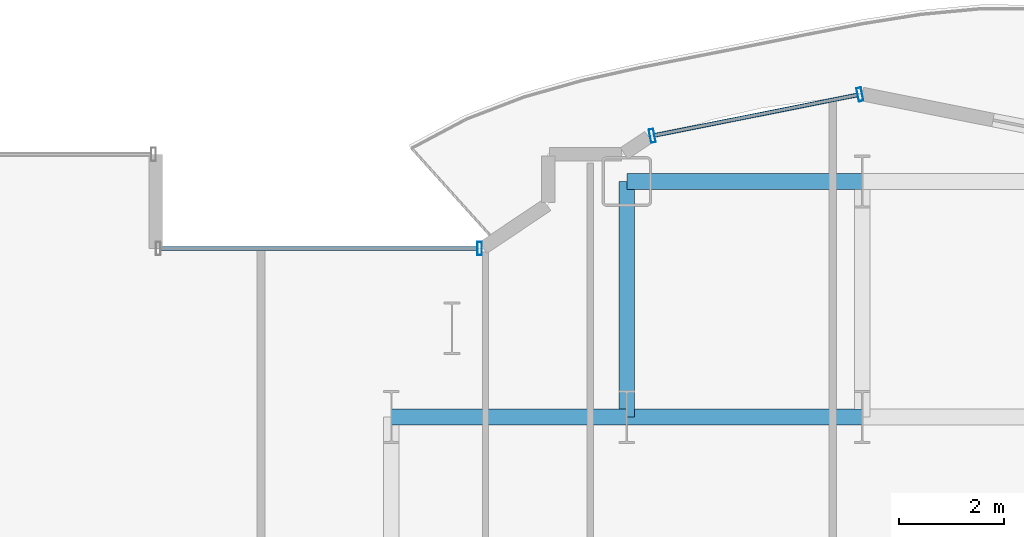
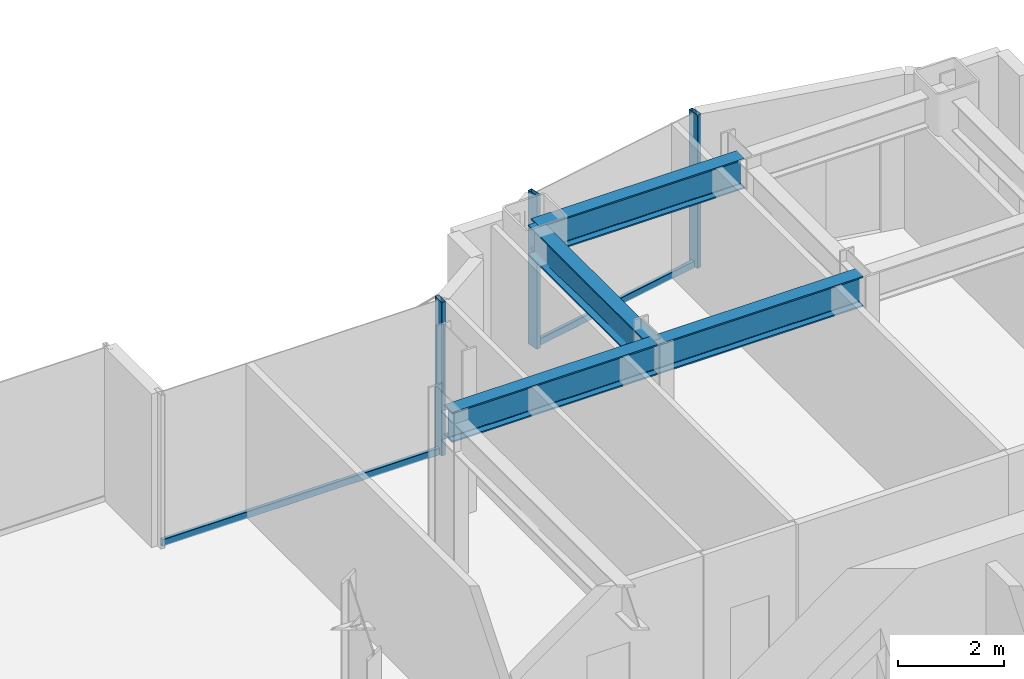
# One storey, part 13 of 29: 5 members, 4 beams, 2 elements without a shape of their own.
"""IFC4 building model written with IfcOpenShell, lengths in metres."""

from ifc_helpers import new_model, si_unit, direction, frame, origin, origin_2d, place, context, subcontext, project, spatial, hollow_rectangle, i_section, extrude, source, transform, mapped, material, layer, layer_set, material_profile, profile_set, type_object, element, aggregate, save


model = new_model("IFC4")

# Units and contexts
model_context = context("Model", 3, precision=1e-05, world=origin(), true_north=direction((0.0, 1.0)))
body_context = subcontext(model_context, "Body", "Model", "MODEL_VIEW")
ifc_project = project(units=[si_unit("LENGTHUNIT", "METRE"), si_unit("AREAUNIT", "SQUARE_METRE"), si_unit("VOLUMEUNIT", "CUBIC_METRE"), si_unit("PLANEANGLEUNIT", "RADIAN"), si_unit("MASSUNIT", "GRAM", prefix="KILO")], contexts=[model_context])

# Site, building, storey
site_placement = place(None, origin())
site = spatial("IfcSite", under=ifc_project, at=site_placement, CompositionType="ELEMENT")
building_placement = place(site_placement, origin())
building = spatial("IfcBuilding", under=site, at=building_placement, Name="Nefas-Gora Pilgrimage Tower", CompositionType="ELEMENT")
storey_placement = place(building_placement, frame((0.0, 0.0, 55.800048828125)))
storey = spatial("IfcBuildingStorey", under=building, at=storey_placement, Name="L12", CompositionType="ELEMENT", Elevation=55.800048828125)

# Beams
ifc_material_1 = material(Name="Steel S355", Category="steel")
ifc_material_profile_1 = material_profile(ifc_material_1, i_section(OverallWidth=0.300048828125, OverallDepth=0.699951171875, WebThickness=0.01708984375, FlangeThickness=0.031982421875, FilletRadius=0.027099609375, at=origin_2d()), Name="HEB 700")
ifc_profile_set_1 = profile_set([ifc_material_profile_1], Name="Steel S355")
beam_type = type_object("IfcBeamType", Name="BM-GIR-HEB700", PredefinedType="BEAM", material=ifc_profile_set_1)
shared_shape_1 = source(origin(), body_context, "Body", "SweptSolid", [
    extrude(i_section(OverallWidth=0.300048828125, OverallDepth=0.699951171875, WebThickness=0.01708984375, FlangeThickness=0.031982421875, FilletRadius=0.027099609375, at=origin_2d()), origin(), (0.0, 0.0, 1.0), 4.5),
])
for number, where, z_axis, x_axis, name in (
    (1, (-11.25, 18.0, 3.199951171875), (1.0, 0.0, 0.0), (0.0, 1.0, 0.0), "L12 G-02 beam"),
    (2, (-6.75, 18.0, 3.199951171875), (0.0, 1.0, 0.0), (-1.0, 0.0, 0.0), "L12 G-02 beam"),
    (3, (-6.75, 18.0, 3.199951171875), (1.0, 0.0, 0.0), (0.0, 1.0, 0.0), "L12 G-02 beam"),
    (4, (-6.75, 22.5, 3.199951171875), (1.0, 0.0, 0.0), (0.0, 1.0, 0.0), "L12 G-02 beam"),
):
    element("IfcBeam", number, at=place(storey_placement, frame(where, z_axis=z_axis, x_axis=x_axis)), inside=storey, type_object=beam_type, Name=name, PredefinedType="BEAM", context=body_context, shape_type="MappedRepresentation", body=[
        mapped(shared_shape_1, transform((0.0, 0.0, 0.0), x_axis=(1.0, 0.0, 0.0), y_axis=(0.0, 1.0, 0.0), z_axis=(0.0, 0.0, 1.0), scale=1.0)),
    ])

# Curtain wall, members
ifc_material_2 = material(Name="Dark ceramic-fritted solar-control aluminium-glass curtain wall", Category="aluminium")
ifc_layer = layer(ifc_material_2, 0.219970703125)
ifc_layer_set = layer_set([ifc_layer], Name="Dark ceramic-fritted solar-control aluminium-glass curtain wall")
curtain_wall_type = type_object("IfcCurtainWallType", Name="CW-SYS-5", PredefinedType="NOTDEFINED", material=ifc_layer_set)
curtain_wall_1_placement = place(storey_placement, origin())
curtain_wall_1 = element("IfcCurtainWall", 5, at=curtain_wall_1_placement, inside=storey, type_object=curtain_wall_type, Name="L12 Unitised Curtain Wall CW5", PredefinedType="NOTDEFINED")
ifc_material_3 = material(Name="Anodised architectural aluminium", Category="aluminium")
ifc_material_profile_2 = material_profile(ifc_material_3, hollow_rectangle(XDim=0.090087890625, YDim=0.260009765625, WallThickness=0.006103515625, InnerFilletRadius=0.006103515625, OuterFilletRadius=0.011962890625, at=origin_2d()), Name="ALU MULLION 90x260")
ifc_profile_set_2 = profile_set([ifc_material_profile_2], Name="Anodised architectural aluminium")
member_type_1 = type_object("IfcMemberType", Name="CWM-MUL-5", PredefinedType="MULLION", material=ifc_profile_set_2)
shared_shape_2 = source(origin(), body_context, "Body", "SweptSolid", [
    extrude(hollow_rectangle(XDim=0.090087890625, YDim=0.260009765625, WallThickness=0.006103515625, InnerFilletRadius=0.006103515625, OuterFilletRadius=0.011962890625, at=origin_2d()), origin(), (0.0, 0.0, 1.0), 3.550048828125),
])
member_1_placement = place(storey_placement, frame((-2.294189453125, 24.16357421875, 0.0), z_axis=(0.0, 0.0, 1.0), x_axis=(-0.980782896852, -0.195102304554, 0.0)))
member_1 = element("IfcMember", 6, at=member_1_placement, type_object=member_type_1, Name="CW5 Mullion 1", PredefinedType="MULLION", context=body_context, shape_type="MappedRepresentation", body=[
    mapped(shared_shape_2, transform((0.0, 0.0, 0.0), x_axis=(1.0, 0.0, 0.0), y_axis=(0.0, 1.0, 0.0), z_axis=(0.0, 0.0, 1.0), scale=1.0)),
])
member_2_placement = place(storey_placement, frame((-6.26318359375, 23.3740234375, 0.0), z_axis=(0.0, 0.0, 1.0), x_axis=(-0.980782896852, -0.195102304554, 0.0)))
member_2 = element("IfcMember", 7, at=member_2_placement, type_object=member_type_1, Name="CW5 Mullion 2", PredefinedType="MULLION", context=body_context, shape_type="MappedRepresentation", body=[
    mapped(shared_shape_2, transform((0.0, 0.0, 0.0), x_axis=(1.0, 0.0, 0.0), y_axis=(0.0, 1.0, 0.0), z_axis=(0.0, 0.0, 1.0), scale=1.0)),
])

curtain_wall_2_placement = place(storey_placement, origin())
curtain_wall_2 = element("IfcCurtainWall", 8, at=curtain_wall_2_placement, inside=storey, type_object=curtain_wall_type, Name="L12 Unitised Curtain Wall CW5", PredefinedType="NOTDEFINED")
member_3_placement = place(storey_placement, frame((-9.56298828125, 21.219970703125, 0.0), z_axis=(0.0, 0.0, 1.0), x_axis=(-1.0, 0.0, 0.0)))
member_3 = element("IfcMember", 9, at=member_3_placement, type_object=member_type_1, Name="CW5 Mullion 1", PredefinedType="MULLION", context=body_context, shape_type="MappedRepresentation", body=[
    mapped(shared_shape_2, transform((0.0, 0.0, 0.0), x_axis=(1.0, 0.0, 0.0), y_axis=(0.0, 1.0, 0.0), z_axis=(0.0, 0.0, 1.0), scale=1.0)),
])
ifc_material_profile_3 = material_profile(ifc_material_3, hollow_rectangle(XDim=0.080078125, YDim=0.159912109375, WallThickness=0.00439453125, InnerFilletRadius=0.00439453125, OuterFilletRadius=0.009033203125, at=origin_2d()), Name="ALU TRANSOM 80x160")
ifc_profile_set_3 = profile_set([ifc_material_profile_3], Name="Anodised architectural aluminium")
member_type_2 = type_object("IfcMemberType", Name="CWM-TRN-5", PredefinedType="USERDEFINED", material=ifc_profile_set_3)
shared_shape_3 = source(origin(), body_context, "Body", "SweptSolid", [
    extrude(hollow_rectangle(XDim=0.080078125, YDim=0.159912109375, WallThickness=0.00439453125, InnerFilletRadius=0.00439453125, OuterFilletRadius=0.009033203125, at=origin_2d()), origin(), (0.0, 0.0, 1.0), 6.052001953125),
])
member_4_placement = place(storey_placement, frame((-9.60791015625, 21.219970703125, 0.050048828125), z_axis=(-1.0, 0.0, 0.0), x_axis=(0.0, -1.0, 0.0)))
member_4 = element("IfcMember", 10, at=member_4_placement, type_object=member_type_2, Name="CW5 Spandrel Transom", ObjectType="TRANSOM", PredefinedType="USERDEFINED", context=body_context, shape_type="MappedRepresentation", body=[
    mapped(shared_shape_3, transform((0.0, 0.0, 0.0), x_axis=(1.0, 0.0, 0.0), y_axis=(0.0, 1.0, 0.0), z_axis=(0.0, 0.0, 1.0), scale=1.0)),
])
aggregate(curtain_wall_2, [member_3, member_4])

# Member
shared_shape_4 = source(origin(), body_context, "Body", "SweptSolid", [
    extrude(hollow_rectangle(XDim=0.080078125, YDim=0.159912109375, WallThickness=0.00439453125, InnerFilletRadius=0.00439453125, OuterFilletRadius=0.009033203125, at=origin_2d()), origin(), (0.0, 0.0, 1.0), 3.95654296875),
])
member_5_placement = place(storey_placement, frame((-2.33837890625, 24.15478515625, 0.050048828125), z_axis=(-0.980781880918, -0.195107411605, 0.0), x_axis=(0.195107411605, -0.980781880918, 0.0)))
member_5 = element("IfcMember", 11, at=member_5_placement, type_object=member_type_2, Name="CW5 Spandrel Transom", ObjectType="TRANSOM", PredefinedType="USERDEFINED", context=body_context, shape_type="MappedRepresentation", body=[
    mapped(shared_shape_4, transform((0.0, 0.0, 0.0), x_axis=(1.0, 0.0, 0.0), y_axis=(0.0, 1.0, 0.0), z_axis=(0.0, 0.0, 1.0), scale=1.0)),
])

aggregate(curtain_wall_1, [member_1, member_2, member_5])

save(model, "model.ifc")
